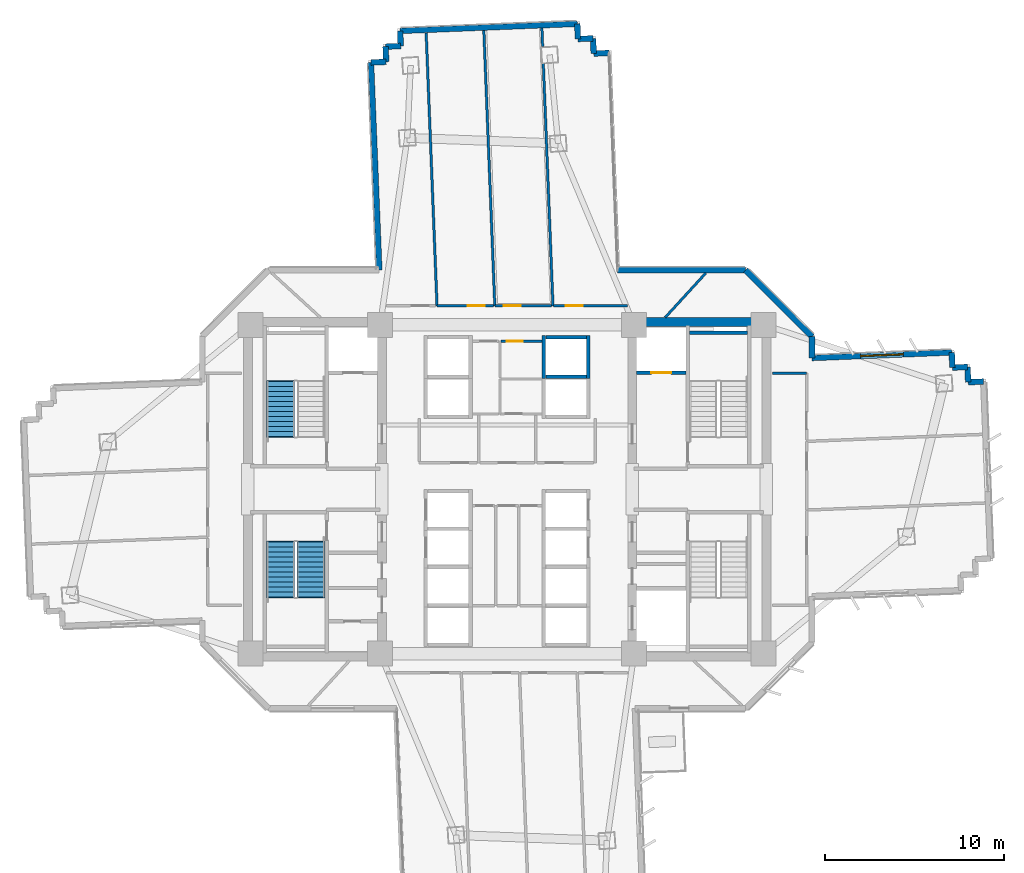
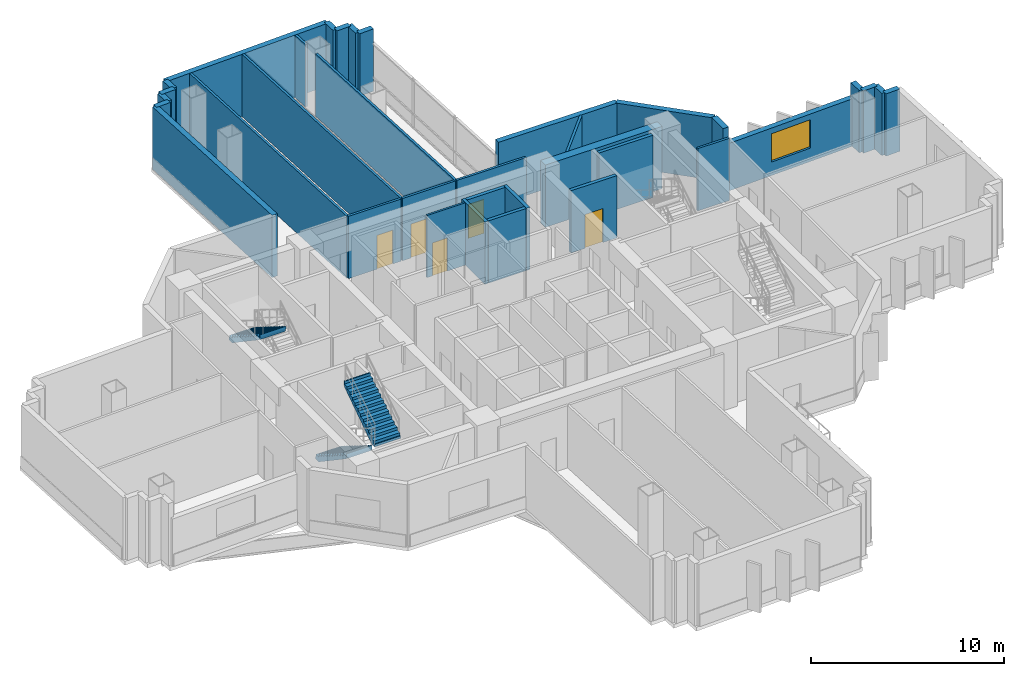
# One storey, part 10 of 16: 35 walls, 5 doors, 3 stair flights, 1 window, 6 openings, 2 elements without a shape of their own.
"""IFC4 building model written with IfcOpenShell, lengths in metres."""

from ifc_helpers import new_model, si_unit, direction, frame, frame_2d, origin, place, context, subcontext, project, spatial, polyline, rectangle, outline, extrude, source, transform, mapped, material, layer, layer_set, type_object, element, fill, aggregate, save


model = new_model("IFC4")

# Units and contexts
model_context = context("Model", 3, precision=1e-05, world=origin(), true_north=direction((0.0, 1.0)))
body_context = subcontext(model_context, "Body", "Model", "MODEL_VIEW")
ifc_project = project(units=[si_unit("LENGTHUNIT", "METRE"), si_unit("AREAUNIT", "SQUARE_METRE"), si_unit("VOLUMEUNIT", "CUBIC_METRE"), si_unit("PLANEANGLEUNIT", "RADIAN"), si_unit("MASSUNIT", "GRAM", prefix="KILO")], contexts=[model_context])

# Site, building, storey
site_placement = place(None, origin())
site = spatial("IfcSite", under=ifc_project, at=site_placement, CompositionType="ELEMENT")
building_placement = place(site_placement, origin())
building = spatial("IfcBuilding", under=site, at=building_placement, Name="Zahravan Cultural Tower", CompositionType="ELEMENT")
storey_placement = place(building_placement, frame((0.0, 0.0, 54.300048828125)))
storey = spatial("IfcBuildingStorey", under=building, at=storey_placement, Name="L11", CompositionType="ELEMENT", Elevation=54.300048828125)

# Wall, opening, window
ifc_material_1 = material(Name="Precast concrete C40/50", Category="concrete")
ifc_layer_1 = layer(ifc_material_1, 0.320068359375)
ifc_layer_set_1 = layer_set([ifc_layer_1], Name="Precast concrete C40/50")
wall_type_1 = type_object("IfcWallType", Name="EW-TC-320", PredefinedType="SOLIDWALL", material=ifc_layer_set_1)
wall_1_placement = place(storey_placement, frame((53.06005859375, 34.344482421875, 0.0), z_axis=(0.0, 0.0, 1.0), x_axis=(0.999208917222, 0.039768577336, 0.0)))
wall_1 = element("IfcWall", 1, at=wall_1_placement, inside=storey, type_object=wall_type_1, Name="L11 Exterior Masonry Frame Wall 01", PredefinedType="SOLIDWALL", context=body_context, shape_type="SweptSolid", body=[
    extrude(rectangle(XDim=7.821044921875, YDim=0.320068359375, at=frame_2d((3.91064453125, 0.0))), origin(), (0.0, 0.0, 1.0), 3.010009765625),
])
opening_1_placement = place(wall_1_placement, frame((2.7109375, 0.0, 0.85009765625)))
opening_1 = element("IfcOpeningElement", 2, at=opening_1_placement, cuts=wall_1, Name="Opening WN-01", PredefinedType="OPENING", context=body_context, shape_type="SweptSolid", body=[
    extrude(rectangle(XDim=2.39990234375, YDim=1.800048828125, at=frame_2d((1.199951171875, 0.89990234375))), frame((0.0, 0.169921875, 0.0), z_axis=(0.0, -1.0, 0.0), x_axis=(1.0, 0.0, 0.0)), (0.0, 0.0, 1.0), 0.340087890625),
])
ifc_material_2 = material(Name="Low-E solar-control double glazing", Category="glass")
window_type = type_object("IfcWindowType", Name="WN-REC-2400X1800", PartitioningType="DOUBLE_PANEL_VERTICAL", PredefinedType="WINDOW", material=ifc_material_2)
shared_shape_1 = source(origin(), body_context, "Body", "SweptSolid", [
    extrude(rectangle(XDim=2.39990234375, YDim=1.800048828125, at=frame_2d((1.199951171875, 0.89990234375))), frame((0.0, 0.030029296875, 0.0), z_axis=(0.0, -1.0, 0.0), x_axis=(1.0, 0.0, 0.0)), (0.0, 0.0, 1.0), 0.06005859375),
])
window_placement = place(opening_1_placement, origin())
window = element("IfcWindow", 3, at=window_placement, inside=storey, type_object=window_type, Name="L11 Recessed Solar Window 01", OverallHeight=1.800048828125, OverallWidth=2.39990234375, PartitioningType="DOUBLE_PANEL_VERTICAL", PredefinedType="WINDOW", context=body_context, shape_type="MappedRepresentation", body=[
    mapped(shared_shape_1, transform((0.0, 0.0, 0.0), x_axis=(1.0, 0.0, 0.0), y_axis=(0.0, 1.0, 0.0), z_axis=(0.0, 0.0, 1.0), scale=1.0)),
])
fill(opening_1, window)

# Wall, opening, door
ifc_material_3 = material(Name="Gypsum plasterboard partition")
ifc_layer_2 = layer(ifc_material_3, 0.139892578125)
ifc_layer_set_2 = layer_set([ifc_layer_2], Name="Gypsum plasterboard partition")
wall_type_2 = type_object("IfcWallType", Name="W-PART-140", PredefinedType="PARTITIONING", material=ifc_layer_set_2)
wall_2_placement = place(storey_placement, frame((35.236083984375, 37.260009765625, 0.0), z_axis=(0.0, 0.0, 1.0), x_axis=(-1.0, 0.0, 0.0)))
wall_2 = element("IfcWall", 4, at=wall_2_placement, inside=storey, type_object=wall_type_2, Name="L11 Interior Wall 098", PredefinedType="PARTITIONING", context=body_context, shape_type="SweptSolid", body=[
    extrude(rectangle(XDim=3.157470703125, YDim=0.139892578125, at=frame_2d((1.57861328125, 0.0))), origin(), (0.0, 0.0, 1.0), 3.949951171875),
])
opening_2_placement = place(wall_2_placement, frame((0.485595703125, 0.0, 0.0)))
opening_2 = element("IfcOpeningElement", 5, at=opening_2_placement, cuts=wall_2, Name="Opening D-L11-26", PredefinedType="OPENING", context=body_context, shape_type="SweptSolid", body=[
    extrude(rectangle(XDim=0.949951171875, YDim=2.14990234375, at=frame_2d((0.47509765625, 1.074951171875))), frame((0.0, 0.079833984375, 0.0), z_axis=(0.0, -1.0, 0.0), x_axis=(1.0, 0.0, 0.0)), (0.0, 0.0, 1.0), 0.159912109375),
])
ifc_material_4 = material(Name="Anodised bronze-aluminium mullion", Category="aluminium")
door_type_1 = type_object("IfcDoorType", Name="DR-ROOM-950", OperationType="NOTDEFINED", PredefinedType="DOOR", material=ifc_material_4)
shared_shape_2 = source(origin(), body_context, "Body", "SweptSolid", [
    extrude(rectangle(XDim=0.949951171875, YDim=2.14990234375, at=frame_2d((0.47509765625, 1.074951171875))), frame((0.0, 0.02490234375, 0.0), z_axis=(0.0, -1.0, 0.0), x_axis=(1.0, 0.0, 0.0)), (0.0, 0.0, 1.0), 0.050048828125),
])
door_1_placement = place(opening_2_placement, origin())
door_1 = element("IfcDoor", 6, at=door_1_placement, inside=storey, type_object=door_type_1, Name="L11 Door D-L11-26", OperationType="SINGLE_SWING_RIGHT", OverallHeight=2.14990234375, OverallWidth=0.949951171875, PredefinedType="DOOR", context=body_context, shape_type="MappedRepresentation", body=[
    mapped(shared_shape_2, transform((0.0, 0.0, 0.0), x_axis=(1.0, 0.0, 0.0), y_axis=(0.0, 1.0, 0.0), z_axis=(0.0, 0.0, 1.0), scale=1.0)),
])
fill(opening_2, door_1)

wall_3_placement = place(storey_placement, frame((38.48876953125, 37.260009765625, 0.0), z_axis=(0.0, 0.0, 1.0), x_axis=(-1.0, 0.0, 0.0)))
wall_3 = element("IfcWall", 7, at=wall_3_placement, inside=storey, type_object=wall_type_2, Name="L11 Interior Wall 105", PredefinedType="PARTITIONING", context=body_context, shape_type="SweptSolid", body=[
    extrude(rectangle(XDim=3.157470703125, YDim=0.139892578125, at=frame_2d((1.57861328125, 0.0))), origin(), (0.0, 0.0, 1.0), 3.949951171875),
])
opening_3_placement = place(wall_3_placement, frame((1.7216796875, 0.0, 0.0)))
opening_3 = element("IfcOpeningElement", 8, at=opening_3_placement, cuts=wall_3, Name="Opening D-L11-25", PredefinedType="OPENING", context=body_context, shape_type="SweptSolid", body=[
    extrude(rectangle(XDim=0.949951171875, YDim=2.14990234375, at=frame_2d((0.47509765625, 1.074951171875))), frame((0.0, 0.079833984375, 0.0), z_axis=(0.0, -1.0, 0.0), x_axis=(1.0, 0.0, 0.0)), (0.0, 0.0, 1.0), 0.159912109375),
])
door_2_placement = place(opening_3_placement, origin())
door_2 = element("IfcDoor", 9, at=door_2_placement, inside=storey, type_object=door_type_1, Name="L11 Door D-L11-25", OperationType="SINGLE_SWING_LEFT", OverallHeight=2.14990234375, OverallWidth=0.949951171875, PredefinedType="DOOR", context=body_context, shape_type="MappedRepresentation", body=[
    mapped(shared_shape_2, transform((0.0, 0.0, 0.0), x_axis=(1.0, 0.0, 0.0), y_axis=(0.0, 1.0, 0.0), z_axis=(0.0, 0.0, 1.0), scale=1.0)),
])
fill(opening_3, door_2)

wall_4_placement = place(storey_placement, frame((42.742431640625, 37.259765625, 0.0), z_axis=(0.0, 0.0, 1.0), x_axis=(-0.999999998277, 5.8706117e-05, 0.0)))
wall_4 = element("IfcWall", 10, at=wall_4_placement, inside=storey, type_object=wall_type_2, Name="L11 Interior Wall 124", PredefinedType="PARTITIONING", context=body_context, shape_type="SweptSolid", body=[
    extrude(rectangle(XDim=4.15869140625, YDim=0.139892578125, at=frame_2d((2.079345703125, 0.0))), origin(), (0.0, 0.0, 1.0), 3.949951171875),
])
opening_4_placement = place(wall_4_placement, frame((2.502685546875, 0.0, 0.0)))
opening_4 = element("IfcOpeningElement", 11, at=opening_4_placement, cuts=wall_4, Name="Opening D-L11-24", PredefinedType="OPENING", context=body_context, shape_type="SweptSolid", body=[
    extrude(rectangle(XDim=0.949951171875, YDim=2.14990234375, at=frame_2d((0.47509765625, 1.074951171875))), frame((0.0, 0.079833984375, 0.0), z_axis=(0.0, -1.0, 0.0), x_axis=(1.0, 0.0, 0.0)), (0.0, 0.0, 1.0), 0.159912109375),
])
door_3_placement = place(opening_4_placement, origin())
door_3 = element("IfcDoor", 12, at=door_3_placement, inside=storey, type_object=door_type_1, Name="L11 Door D-L11-24", OperationType="SINGLE_SWING_RIGHT", OverallHeight=2.14990234375, OverallWidth=0.949951171875, PredefinedType="DOOR", context=body_context, shape_type="MappedRepresentation", body=[
    mapped(shared_shape_2, transform((0.0, 0.0, 0.0), x_axis=(1.0, 0.0, 0.0), y_axis=(0.0, 1.0, 0.0), z_axis=(0.0, 0.0, 1.0), scale=1.0)),
])
fill(opening_4, door_3)

ifc_material_5 = material(Name="Concrete C45/55", Category="concrete")
ifc_layer_3 = layer(ifc_material_5, 0.199951171875)
ifc_layer_set_3 = layer_set([ifc_layer_3], Name="Concrete C45/55")
wall_type_3 = type_object("IfcWallType", Name="W-SHAFT-200", PredefinedType="SOLIDWALL", material=ifc_layer_set_3)
wall_5_placement = place(storey_placement, frame((43.25, 33.52001953125, 0.0), z_axis=(0.0, 0.0, 1.0), x_axis=(1.0, 0.0, 0.0)))
wall_5 = element("IfcWall", 13, at=wall_5_placement, inside=storey, type_object=wall_type_3, Name="L11 Interior Wall 022", PredefinedType="SOLIDWALL", context=body_context, shape_type="SweptSolid", body=[
    extrude(rectangle(XDim=2.75, YDim=0.199951171875, at=frame_2d((1.375, 0.0))), origin(), (0.0, 0.0, 1.0), 3.949951171875),
])
opening_5_placement = place(wall_5_placement, frame((0.820068359375, 0.0, 0.0)))
opening_5 = element("IfcOpeningElement", 14, at=opening_5_placement, cuts=wall_5, Name="Opening LD-L11-02", PredefinedType="OPENING", context=body_context, shape_type="SweptSolid", body=[
    extrude(rectangle(XDim=1.10009765625, YDim=2.14990234375, at=frame_2d((0.550048828125, 1.074951171875))), frame((0.0, 0.10986328125, 0.0), z_axis=(0.0, -1.0, 0.0), x_axis=(1.0, 0.0, 0.0)), (0.0, 0.0, 1.0), 0.219970703125),
])
ifc_material_6 = material(Name="Steel ASTM A572 Grade 50", Category="steel")
door_type_2 = type_object("IfcDoorType", Name="DR-LIFT-1100", OperationType="DOUBLE_DOOR_SLIDING", PredefinedType="DOOR", material=ifc_material_6)
shared_shape_3 = source(origin(), body_context, "Body", "SweptSolid", [
    extrude(rectangle(XDim=1.10009765625, YDim=2.14990234375, at=frame_2d((0.550048828125, 1.074951171875))), frame((0.0, 0.02490234375, 0.0), z_axis=(0.0, -1.0, 0.0), x_axis=(1.0, 0.0, 0.0)), (0.0, 0.0, 1.0), 0.050048828125),
])
door_4_placement = place(opening_5_placement, origin())
door_4 = element("IfcDoor", 15, at=door_4_placement, inside=storey, type_object=door_type_2, Name="L11 Door LD-L11-02", OperationType="DOUBLE_DOOR_SLIDING", OverallHeight=2.14990234375, OverallWidth=1.10009765625, PredefinedType="DOOR", context=body_context, shape_type="MappedRepresentation", body=[
    mapped(shared_shape_3, transform((0.0, 0.0, 0.0), x_axis=(1.0, 0.0, 0.0), y_axis=(0.0, 1.0, 0.0), z_axis=(0.0, 0.0, 1.0), scale=1.0)),
])
fill(opening_5, door_4)

ifc_layer_4 = layer(ifc_material_3, 0.114990234375)
ifc_layer_set_4 = layer_set([ifc_layer_4], Name="Gypsum plasterboard partition")
wall_type_4 = type_object("IfcWallType", Name="W-WC-115", PredefinedType="PARTITIONING", material=ifc_layer_set_4)
wall_6_placement = place(storey_placement, frame((35.652587890625, 35.280029296875, 0.0), z_axis=(0.0, 0.0, 1.0), x_axis=(1.0, 0.0, 0.0)))
wall_6 = element("IfcWall", 16, at=wall_6_placement, inside=storey, type_object=wall_type_4, Name="L11 Interior Wall 073", PredefinedType="PARTITIONING", context=body_context, shape_type="SweptSolid", body=[
    extrude(rectangle(XDim=2.29248046875, YDim=0.114990234375, at=frame_2d((1.146240234375, 0.0))), origin(), (0.0, 0.0, 1.0), 3.949951171875),
])
opening_6_placement = place(wall_6_placement, frame((0.3203125, 0.0, 0.0)))
opening_6 = element("IfcOpeningElement", 17, at=opening_6_placement, cuts=wall_6, Name="Opening D-L11-14", PredefinedType="OPENING", context=body_context, shape_type="SweptSolid", body=[
    extrude(rectangle(XDim=0.89990234375, YDim=2.10009765625, at=frame_2d((0.449951171875, 1.050048828125))), frame((0.0, 0.0673828125, 0.0), z_axis=(0.0, -1.0, 0.0), x_axis=(1.0, 0.0, 0.0)), (0.0, 0.0, 1.0), 0.135009765625),
])
door_type_3 = type_object("IfcDoorType", Name="DR-WC-900", OperationType="NOTDEFINED", PredefinedType="DOOR", material=ifc_material_4)
shared_shape_4 = source(origin(), body_context, "Body", "SweptSolid", [
    extrude(rectangle(XDim=0.89990234375, YDim=2.10009765625, at=frame_2d((0.449951171875, 1.050048828125))), frame((0.0, 0.02490234375, 0.0), z_axis=(0.0, -1.0, 0.0), x_axis=(1.0, 0.0, 0.0)), (0.0, 0.0, 1.0), 0.050048828125),
])
door_5_placement = place(opening_6_placement, origin())
door_5 = element("IfcDoor", 18, at=door_5_placement, inside=storey, type_object=door_type_3, Name="L11 Door D-L11-14", OperationType="SINGLE_SWING_RIGHT", OverallHeight=2.10009765625, OverallWidth=0.89990234375, PredefinedType="DOOR", context=body_context, shape_type="MappedRepresentation", body=[
    mapped(shared_shape_4, transform((0.0, 0.0, 0.0), x_axis=(1.0, 0.0, 0.0), y_axis=(0.0, 1.0, 0.0), z_axis=(0.0, 0.0, 1.0), scale=1.0)),
])
fill(opening_6, door_5)

# Walls
ifc_material_7 = material(Name="Concrete C60/75", Category="concrete")
ifc_layer_5 = layer(ifc_material_7, 0.5)
ifc_layer_set_5 = layer_set([ifc_layer_5], Name="Concrete C60/75")
wall_type_5 = type_object("IfcWallType", Name="CW-SHEAR-500-C60", PredefinedType="SHEAR", material=ifc_layer_set_5)
shared_shape_5 = source(origin(), body_context, "Body", "SweptSolid", [
    extrude(rectangle(XDim=7.0, YDim=0.5, at=frame_2d((3.5, 0.0))), origin(), (0.0, 0.0, 1.0), 3.949951171875),
])
wall_7_placement = place(storey_placement, frame((43.25, 36.35009765625, 0.0), z_axis=(0.0, 0.0, 1.0), x_axis=(1.0, 0.0, 0.0)))
element("IfcWall", 19, at=wall_7_placement, inside=storey, type_object=wall_type_5, Name="L11 Core Shear Wall CW-E-N-L11", PredefinedType="SHEAR", context=body_context, shape_type="MappedRepresentation", body=[
    mapped(shared_shape_5, transform((0.0, 0.0, 0.0), x_axis=(1.0, 0.0, 0.0), y_axis=(0.0, 1.0, 0.0), z_axis=(0.0, 0.0, 1.0), scale=1.0)),
])
shared_shape_6 = source(origin(), body_context, "Body", "SweptSolid", [
    extrude(rectangle(XDim=0.849853515625, YDim=0.320068359375, at=frame_2d((0.4248046875, 0.0))), origin(), (0.0, 0.0, 1.0), 3.949951171875),
])
for number, where, z_axis, x_axis, name in (
    (20, (60.875, 34.655517578125, 0.0), (0.0, 0.0, 1.0), (0.039933618331, -0.999202334929, 0.0), "L11 Exterior Masonry Frame Wall 02"),
    (21, (28.38427734375, 50.8759765625, 0.0), (0.0, 0.0, 1.0), (0.999202334929, 0.039933618331, 0.0), "L11 Exterior Masonry Frame Wall 43"),
    (22, (29.2333984375, 50.909912109375, 0.0), (0.0, 0.0, 1.0), (-0.039646779332, 0.999213757356, 0.0), "L11 Exterior Masonry Frame Wall 44"),
    (23, (30.049072265625, 51.79296875, 0.0), (0.0, 0.0, 1.0), (-0.039933618331, 0.999202334929, 0.0), "L11 Exterior Masonry Frame Wall 46"),
    (24, (39.961181640625, 52.1875, 0.0), (0.0, 0.0, 1.0), (0.999213757356, 0.039646779332, 0.0), "L11 Exterior Masonry Frame Wall 49"),
    (25, (40.810302734375, 52.22119140625, 0.0), (0.0, 0.0, 1.0), (0.039933618331, -0.999202334929, 0.0), "L11 Exterior Masonry Frame Wall 50"),
):
    element("IfcWall", number, at=place(storey_placement, frame(where, z_axis=z_axis, x_axis=x_axis)), inside=storey, type_object=wall_type_1, Name=name, PredefinedType="SOLIDWALL", context=body_context, shape_type="MappedRepresentation", body=[
        mapped(shared_shape_6, transform((0.0, 0.0, 0.0), x_axis=(1.0, 0.0, 0.0), y_axis=(0.0, 1.0, 0.0), z_axis=(0.0, 0.0, 1.0), scale=1.0)),
    ])
shared_shape_7 = source(origin(), body_context, "Body", "SweptSolid", [
    extrude(rectangle(XDim=0.85009765625, YDim=0.320068359375, at=frame_2d((0.425048828125, 0.0))), origin(), (0.0, 0.0, 1.0), 3.949951171875),
])
for number, where, z_axis, x_axis, name in (
    (26, (60.908935546875, 33.806396484375, 0.0), (0.0, 0.0, 1.0), (0.999214208752, 0.039635401209, 0.0), "L11 Exterior Masonry Frame Wall 03"),
    (27, (61.75830078125, 33.840087890625, 0.0), (0.0, 0.0, 1.0), (0.039635401209, -0.999214208752, 0.0), "L11 Exterior Masonry Frame Wall 04"),
    (28, (61.7919921875, 32.99072265625, 0.0), (0.0, 0.0, 1.0), (0.999202792875, 0.039922158152, 0.0), "L11 Exterior Masonry Frame Wall 05"),
    (29, (29.19970703125, 51.759033203125, 0.0), (0.0, 0.0, 1.0), (0.999202792875, 0.039922158152, 0.0), "L11 Exterior Masonry Frame Wall 45"),
    (30, (39.92724609375, 53.036865234375, 0.0), (0.0, 0.0, 1.0), (0.039922158152, -0.999202792875, 0.0), "L11 Exterior Masonry Frame Wall 48"),
    (31, (40.84423828125, 51.3720703125, 0.0), (0.0, 0.0, 1.0), (0.999214208752, 0.039635401209, 0.0), "L11 Exterior Masonry Frame Wall 51"),
):
    element("IfcWall", number, at=place(storey_placement, frame(where, z_axis=z_axis, x_axis=x_axis)), inside=storey, type_object=wall_type_1, Name=name, PredefinedType="SOLIDWALL", context=body_context, shape_type="MappedRepresentation", body=[
        mapped(shared_shape_7, transform((0.0, 0.0, 0.0), x_axis=(1.0, 0.0, 0.0), y_axis=(0.0, 1.0, 0.0), z_axis=(0.0, 0.0, 1.0), scale=1.0)),
    ])
shared_shape_8 = source(origin(), body_context, "Body", "SweptSolid", [
    extrude(rectangle(XDim=9.919921875, YDim=0.320068359375, at=frame_2d((4.9599609375, 0.0))), origin(), (0.0, 0.0, 1.0), 3.949951171875),
])
wall_8_placement = place(storey_placement, frame((30.01513671875, 52.64208984375, 0.0), z_axis=(0.0, 0.0, 1.0), x_axis=(0.999207823998, 0.039796035749, 0.0)))
element("IfcWall", 32, at=wall_8_placement, inside=storey, type_object=wall_type_1, Name="L11 Exterior Masonry Frame Wall 47", PredefinedType="SOLIDWALL", context=body_context, shape_type="MappedRepresentation", body=[
    mapped(shared_shape_8, transform((0.0, 0.0, 0.0), x_axis=(1.0, 0.0, 0.0), y_axis=(0.0, 1.0, 0.0), z_axis=(0.0, 0.0, 1.0), scale=1.0)),
])
shared_shape_9 = source(origin(), body_context, "Body", "SweptSolid", [
    extrude(rectangle(XDim=5.258056640625, YDim=0.320068359375, at=frame_2d((2.62890625, 0.0))), origin(), (0.0, 0.0, 1.0), 3.949951171875),
])
wall_9_placement = place(storey_placement, frame((49.342041015625, 39.260009765625, 0.0), z_axis=(0.0, 0.0, 1.0), x_axis=(0.707106781187, -0.707106781187, 0.0)))
element("IfcWall", 33, at=wall_9_placement, inside=storey, type_object=wall_type_1, Name="L11 Exterior Masonry Frame Wall 53", PredefinedType="SOLIDWALL", context=body_context, shape_type="MappedRepresentation", body=[
    mapped(shared_shape_9, transform((0.0, 0.0, 0.0), x_axis=(1.0, 0.0, 0.0), y_axis=(0.0, 1.0, 0.0), z_axis=(0.0, 0.0, 1.0), scale=1.0)),
])
shared_shape_10 = source(origin(), body_context, "Body", "SweptSolid", [
    extrude(rectangle(XDim=1.197509765625, YDim=0.320068359375, at=frame_2d((0.5986328125, 0.0))), origin(), (0.0, 0.0, 1.0), 3.949951171875),
])
wall_10_placement = place(storey_placement, frame((53.06005859375, 35.5419921875, 0.0), z_axis=(0.0, 0.0, 1.0), x_axis=(0.0, -1.0, 0.0)))
element("IfcWall", 34, at=wall_10_placement, inside=storey, type_object=wall_type_1, Name="L11 Exterior Masonry Frame Wall 54", PredefinedType="SOLIDWALL", context=body_context, shape_type="MappedRepresentation", body=[
    mapped(shared_shape_10, transform((0.0, 0.0, 0.0), x_axis=(1.0, 0.0, 0.0), y_axis=(0.0, 1.0, 0.0), z_axis=(0.0, 0.0, 1.0), scale=1.0)),
])
shared_shape_11 = source(origin(), body_context, "Body", "SweptSolid", [
    extrude(rectangle(XDim=11.625244140625, YDim=0.320068359375, at=frame_2d((5.8125, 0.0))), origin(), (0.0, 0.0, 1.0), 3.949951171875),
])
wall_11_placement = place(storey_placement, frame((28.8466796875, 39.260009765625, 0.0), z_axis=(0.0, 0.0, 1.0), x_axis=(-0.039775975357, 0.999208622753, 0.0)))
element("IfcWall", 35, at=wall_11_placement, inside=storey, type_object=wall_type_1, Name="L11 Exterior Masonry Frame Wall 42", PredefinedType="SOLIDWALL", context=body_context, shape_type="MappedRepresentation", body=[
    mapped(shared_shape_11, transform((0.0, 0.0, 0.0), x_axis=(1.0, 0.0, 0.0), y_axis=(0.0, 1.0, 0.0), z_axis=(0.0, 0.0, 1.0), scale=1.0)),
])
shared_shape_12 = source(origin(), body_context, "Body", "SweptSolid", [
    extrude(rectangle(XDim=7.164794921875, YDim=0.320068359375, at=frame_2d((3.58251953125, 0.0))), origin(), (0.0, 0.0, 1.0), 3.949951171875),
])
wall_12_placement = place(storey_placement, frame((42.17724609375, 39.260009765625, 0.0), z_axis=(0.0, 0.0, 1.0), x_axis=(1.0, 0.0, 0.0)))
element("IfcWall", 36, at=wall_12_placement, inside=storey, type_object=wall_type_1, Name="L11 Exterior Masonry Frame Wall 52", PredefinedType="SOLIDWALL", context=body_context, shape_type="MappedRepresentation", body=[
    mapped(shared_shape_12, transform((0.0, 0.0, 0.0), x_axis=(1.0, 0.0, 0.0), y_axis=(0.0, 1.0, 0.0), z_axis=(0.0, 0.0, 1.0), scale=1.0)),
])
shared_shape_13 = source(origin(), body_context, "Body", "SweptSolid", [
    extrude(rectangle(XDim=3.25, YDim=0.199951171875, at=frame_2d((1.625, 0.0))), origin(), (0.0, 0.0, 1.0), 3.949951171875),
])
wall_13_placement = place(storey_placement, frame((46.199951171875, 35.75, 0.0), z_axis=(0.0, 0.0, 1.0), x_axis=(1.0, 0.0, 0.0)))
element("IfcWall", 37, at=wall_13_placement, inside=storey, type_object=wall_type_3, Name="L11 Interior Wall 018", PredefinedType="SOLIDWALL", context=body_context, shape_type="MappedRepresentation", body=[
    mapped(shared_shape_13, transform((0.0, 0.0, 0.0), x_axis=(1.0, 0.0, 0.0), y_axis=(0.0, 1.0, 0.0), z_axis=(0.0, 0.0, 1.0), scale=1.0)),
])
shared_shape_14 = source(origin(), body_context, "Body", "SweptSolid", [
    extrude(rectangle(XDim=2.400146484375, YDim=0.199951171875, at=frame_2d((1.2001953125, 0.0))), origin(), (0.0, 0.0, 1.0), 3.949951171875),
])
for number, where, z_axis, x_axis, name in (
    (38, (38.050048828125, 33.199951171875, 0.0), (0.0, 0.0, 1.0), (0.0, 1.0, 0.0), "L11 Interior Wall 036"),
    (39, (40.550048828125, 33.199951171875, 0.0), (0.0, 0.0, 1.0), (0.0, 1.0, 0.0), "L11 Interior Wall 037"),
):
    element("IfcWall", number, at=place(storey_placement, frame(where, z_axis=z_axis, x_axis=x_axis)), inside=storey, type_object=wall_type_3, Name=name, PredefinedType="SOLIDWALL", context=body_context, shape_type="MappedRepresentation", body=[
        mapped(shared_shape_14, transform((0.0, 0.0, 0.0), x_axis=(1.0, 0.0, 0.0), y_axis=(0.0, 1.0, 0.0), z_axis=(0.0, 0.0, 1.0), scale=1.0)),
    ])
shared_shape_15 = source(origin(), body_context, "Body", "SweptSolid", [
    extrude(rectangle(XDim=2.260009765625, YDim=0.199951171875, at=frame_2d((1.1298828125, 0.0))), origin(), (0.0, 0.0, 1.0), 3.949951171875),
])
for number, where, z_axis, x_axis, name in (
    (40, (38.169921875, 33.300048828125, 0.0), (0.0, 0.0, 1.0), (1.0, 0.0, 0.0), "L11 Interior Wall 038"),
    (41, (38.169921875, 35.5, 0.0), (0.0, 0.0, 1.0), (1.0, 0.0, 0.0), "L11 Interior Wall 039"),
):
    element("IfcWall", number, at=place(storey_placement, frame(where, z_axis=z_axis, x_axis=x_axis)), inside=storey, type_object=wall_type_3, Name=name, PredefinedType="SOLIDWALL", context=body_context, shape_type="MappedRepresentation", body=[
        mapped(shared_shape_15, transform((0.0, 0.0, 0.0), x_axis=(1.0, 0.0, 0.0), y_axis=(0.0, 1.0, 0.0), z_axis=(0.0, 0.0, 1.0), scale=1.0)),
    ])
shared_shape_16 = source(origin(), body_context, "Body", "SweptSolid", [
    extrude(rectangle(XDim=15.415771484375, YDim=0.139892578125, at=frame_2d((7.7080078125, 0.0))), origin(), (0.0, 0.0, 1.0), 3.949951171875),
])
wall_14_placement = place(storey_placement, frame((34.697998046875, 52.66357421875, 0.0), z_axis=(0.0, 0.0, 1.0), x_axis=(0.039782723686, -0.999208354096, 0.0)))
element("IfcWall", 42, at=wall_14_placement, inside=storey, type_object=wall_type_2, Name="L11 Interior Wall 097", PredefinedType="PARTITIONING", context=body_context, shape_type="MappedRepresentation", body=[
    mapped(shared_shape_16, transform((0.0, 0.0, 0.0), x_axis=(1.0, 0.0, 0.0), y_axis=(0.0, 1.0, 0.0), z_axis=(0.0, 0.0, 1.0), scale=1.0)),
])
shared_shape_17 = source(origin(), body_context, "Body", "SweptSolid", [
    extrude(rectangle(XDim=15.2861328125, YDim=0.139892578125, at=frame_2d((7.64306640625, 0.0))), origin(), (0.0, 0.0, 1.0), 3.949951171875),
])
wall_15_placement = place(storey_placement, frame((32.07861328125, 37.260986328125, 0.0), z_axis=(0.0, 0.0, 1.0), x_axis=(-0.039769031662, 0.99920889914, 0.0)))
element("IfcWall", 43, at=wall_15_placement, inside=storey, type_object=wall_type_2, Name="L11 Interior Wall 099", PredefinedType="PARTITIONING", context=body_context, shape_type="MappedRepresentation", body=[
    mapped(shared_shape_17, transform((0.0, 0.0, 0.0), x_axis=(1.0, 0.0, 0.0), y_axis=(0.0, 1.0, 0.0), z_axis=(0.0, 0.0, 1.0), scale=1.0)),
])
shared_shape_18 = source(origin(), body_context, "Body", "SweptSolid", [
    extrude(rectangle(XDim=1.01611328125, YDim=0.139892578125, at=frame_2d((0.508056640625, 0.0))), origin(), (0.0, 0.0, 1.0), 3.949951171875),
])
wall_16_placement = place(storey_placement, frame((37.9453125, 52.792724609375, 0.0), z_axis=(0.0, 0.0, 1.0), x_axis=(0.03988168596, -0.99920440908, 0.0)))
element("IfcWall", 44, at=wall_16_placement, inside=storey, type_object=wall_type_2, Name="L11 Interior Wall 103", PredefinedType="PARTITIONING", context=body_context, shape_type="MappedRepresentation", body=[
    mapped(shared_shape_18, transform((0.0, 0.0, 0.0), x_axis=(1.0, 0.0, 0.0), y_axis=(0.0, 1.0, 0.0), z_axis=(0.0, 0.0, 1.0), scale=1.0)),
])
shared_shape_19 = source(origin(), body_context, "Body", "SweptSolid", [
    extrude(rectangle(XDim=13.568115234375, YDim=0.139892578125, at=frame_2d((6.7841796875, 0.0))), origin(), (0.0, 0.0, 1.0), 3.949951171875),
])
wall_17_placement = place(storey_placement, frame((38.024169921875, 50.8173828125, 0.0), z_axis=(0.0, 0.0, 1.0), x_axis=(0.039766111253, -0.99920901537, 0.0)))
element("IfcWall", 45, at=wall_17_placement, inside=storey, type_object=wall_type_2, Name="L11 Interior Wall 104", PredefinedType="PARTITIONING", context=body_context, shape_type="MappedRepresentation", body=[
    mapped(shared_shape_19, transform((0.0, 0.0, 0.0), x_axis=(1.0, 0.0, 0.0), y_axis=(0.0, 1.0, 0.0), z_axis=(0.0, 0.0, 1.0), scale=1.0)),
])
shared_shape_20 = source(origin(), body_context, "Body", "SweptSolid", [
    extrude(rectangle(XDim=3.374755859375, YDim=0.139892578125, at=frame_2d((1.6875, 0.0))), origin(), (0.0, 0.0, 1.0), 3.949951171875),
])
wall_18_placement = place(storey_placement, frame((44.838134765625, 36.60498046875, 0.0), z_axis=(0.0, 0.0, 1.0), x_axis=(0.674974079893, 0.737841440604, 0.0)))
element("IfcWall", 46, at=wall_18_placement, inside=storey, type_object=wall_type_2, Name="L11 Interior Wall 118", PredefinedType="PARTITIONING", context=body_context, shape_type="MappedRepresentation", body=[
    mapped(shared_shape_20, transform((0.0, 0.0, 0.0), x_axis=(1.0, 0.0, 0.0), y_axis=(0.0, 1.0, 0.0), z_axis=(0.0, 0.0, 1.0), scale=1.0)),
])
shared_shape_21 = source(origin(), body_context, "Body", "SweptSolid", [
    extrude(rectangle(XDim=1.897705078125, YDim=0.139892578125, at=frame_2d((0.94873046875, 0.0))), origin(), (0.0, 0.0, 1.0), 3.949951171875),
])
wall_19_placement = place(storey_placement, frame((52.748779296875, 33.49755859375, 0.0), z_axis=(0.0, 0.0, 1.0), x_axis=(-0.999999702083, 0.00077190251, 0.0)))
element("IfcWall", 47, at=wall_19_placement, inside=storey, type_object=wall_type_2, Name="L11 Interior Wall 120", PredefinedType="PARTITIONING", context=body_context, shape_type="MappedRepresentation", body=[
    mapped(shared_shape_21, transform((0.0, 0.0, 0.0), x_axis=(1.0, 0.0, 0.0), y_axis=(0.0, 1.0, 0.0), z_axis=(0.0, 0.0, 1.0), scale=1.0)),
])

# Stair, stair flight
stair_type = type_object("IfcStairType", Name="STR-DL-1550-420", PredefinedType="HALF_TURN_STAIR", material=ifc_material_5)
stair_1_placement = place(storey_placement, origin())
stair_1 = element("IfcStair", 48, at=stair_1_placement, inside=storey, type_object=stair_type, Name="L11 West Core North Exit Stair ST-W1", PredefinedType="HALF_TURN_STAIR")
stair_flight_type = type_object("IfcStairFlightType", Name="FLG-DL-1550-420", PredefinedType="STRAIGHT", material=ifc_material_5)
stair_flight_1_placement = place(storey_placement, frame((23.324951171875, 33.030029296875, 2.099853515625), z_axis=(0.0, 0.0, 1.0), x_axis=(0.0, -1.0, 0.0)))
stair_flight_1 = element("IfcStairFlight", 49, at=stair_flight_1_placement, type_object=stair_flight_type, Name="ST-W1 flight 2", NumberOfRisers=12, NumberOfTreads=11, PredefinedType="STRAIGHT", RiserHeight=0.175, TreadLength=0.28, context=body_context, shape_type="SweptSolid", body=[
    extrude(outline(polyline([(-0.06494140625, -0.139892578125), (-0.06494140625, 0.0), (0.0, 0.0), (0.0, 0.175048828125), (0.280029296875, 0.175048828125), (0.280029296875, 0.35009765625), (0.56005859375, 0.35009765625), (0.56005859375, 0.52490234375), (0.840087890625, 0.52490234375), (0.840087890625, 0.699951171875), (1.1201171875, 0.699951171875), (1.1201171875, 0.875), (1.39990234375, 0.875), (1.39990234375, 1.050048828125), (1.679931640625, 1.050048828125), (1.679931640625, 1.22509765625), (1.9599609375, 1.22509765625), (1.9599609375, 1.39990234375), (2.239990234375, 1.39990234375), (2.239990234375, 1.574951171875), (2.52001953125, 1.574951171875), (2.52001953125, 1.75), (2.800048828125, 1.75), (2.800048828125, 1.925048828125), (3.080078125, 1.925048828125), (3.080078125, 2.10009765625), (3.14501953125, 2.10009765625), (3.14501953125, 1.9501953125), (3.080078125, 1.748291015625), (0.28271484375, -0.139892578125), (-0.06494140625, -0.139892578125)])), frame((0.0, 0.77490234375, 0.0), z_axis=(0.0, -1.0, 0.0), x_axis=(1.0, 0.0, 0.0)), (0.0, 0.0, 1.0), 1.550048828125),
])
aggregate(stair_1, [stair_flight_1])

# Stair, stair flights
stair_2_placement = place(storey_placement, origin())
stair_2 = element("IfcStair", 50, at=stair_2_placement, inside=storey, type_object=stair_type, Name="L11 West Core South Exit Stair ST-W2", PredefinedType="HALF_TURN_STAIR")
stair_flight_2_placement = place(storey_placement, frame((23.324951171875, 24.050048828125, 0.0), z_axis=(0.0, 0.0, 1.0), x_axis=(0.0, -1.0, 0.0)))
stair_flight_2 = element("IfcStairFlight", 51, at=stair_flight_2_placement, type_object=stair_flight_type, Name="ST-W2 flight 1", NumberOfRisers=12, NumberOfTreads=11, PredefinedType="STRAIGHT", RiserHeight=0.175, TreadLength=0.28, context=body_context, shape_type="SweptSolid", body=[
    extrude(outline(polyline([(-0.06494140625, -0.139892578125), (-0.06494140625, 0.0), (0.0, 0.0), (0.0, 0.175048828125), (0.280029296875, 0.175048828125), (0.280029296875, 0.35009765625), (0.56005859375, 0.35009765625), (0.56005859375, 0.52490234375), (0.840087890625, 0.52490234375), (0.840087890625, 0.699951171875), (1.1201171875, 0.699951171875), (1.1201171875, 0.875), (1.39990234375, 0.875), (1.39990234375, 1.050048828125), (1.679931640625, 1.050048828125), (1.679931640625, 1.22509765625), (1.9599609375, 1.22509765625), (1.9599609375, 1.39990234375), (2.239990234375, 1.39990234375), (2.239990234375, 1.574951171875), (2.52001953125, 1.574951171875), (2.52001953125, 1.75), (2.800048828125, 1.75), (2.800048828125, 1.925048828125), (3.080078125, 1.925048828125), (3.080078125, 2.10009765625), (3.14501953125, 2.10009765625), (3.14501953125, 1.9501953125), (3.080078125, 1.748291015625), (0.28271484375, -0.139892578125), (-0.06494140625, -0.139892578125)])), frame((0.0, 0.77490234375, 0.0), z_axis=(0.0, -1.0, 0.0), x_axis=(1.0, 0.0, 0.0)), (0.0, 0.0, 1.0), 1.550048828125),
])
stair_flight_3_placement = place(storey_placement, frame((25.02490234375, 20.969970703125, 2.099853515625), z_axis=(0.0, 0.0, 1.0), x_axis=(0.0, 1.0, 0.0)))
stair_flight_3 = element("IfcStairFlight", 52, at=stair_flight_3_placement, type_object=stair_flight_type, Name="ST-W2 flight 2", NumberOfRisers=12, NumberOfTreads=11, PredefinedType="STRAIGHT", RiserHeight=0.175, TreadLength=0.28, context=body_context, shape_type="SweptSolid", body=[
    extrude(outline(polyline([(-0.06494140625, -0.139892578125), (-0.06494140625, 0.0), (0.0, 0.0), (0.0, 0.175048828125), (0.280029296875, 0.175048828125), (0.280029296875, 0.35009765625), (0.56005859375, 0.35009765625), (0.56005859375, 0.52490234375), (0.840087890625, 0.52490234375), (0.840087890625, 0.699951171875), (1.1201171875, 0.699951171875), (1.1201171875, 0.875), (1.39990234375, 0.875), (1.39990234375, 1.050048828125), (1.679931640625, 1.050048828125), (1.679931640625, 1.22509765625), (1.9599609375, 1.22509765625), (1.9599609375, 1.39990234375), (2.239990234375, 1.39990234375), (2.239990234375, 1.574951171875), (2.52001953125, 1.574951171875), (2.52001953125, 1.75), (2.800048828125, 1.75), (2.800048828125, 1.925048828125), (3.080078125, 1.925048828125), (3.080078125, 2.10009765625), (3.14501953125, 2.10009765625), (3.14501953125, 1.9501953125), (3.080078125, 1.748291015625), (0.28271484375, -0.139892578125), (-0.06494140625, -0.139892578125)])), frame((0.0, 0.77490234375, 0.0), z_axis=(0.0, -1.0, 0.0), x_axis=(1.0, 0.0, 0.0)), (0.0, 0.0, 1.0), 1.550048828125),
])
aggregate(stair_2, [stair_flight_2, stair_flight_3])

save(model, "model.ifc")
